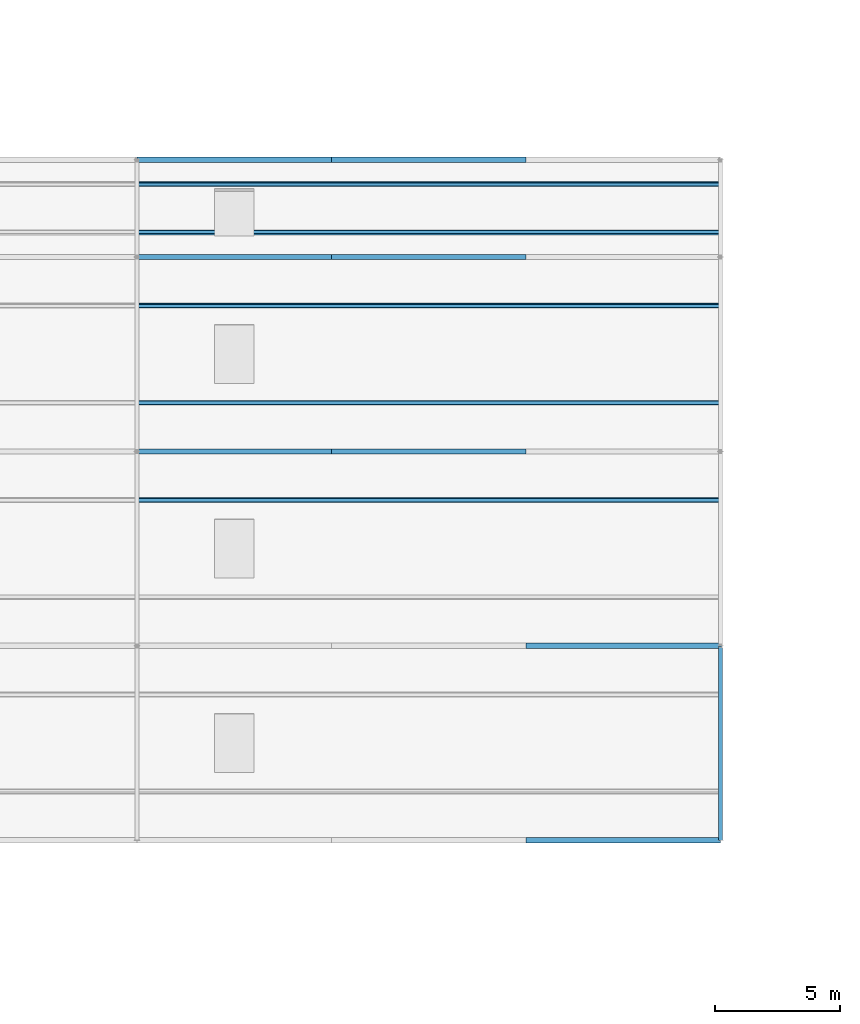
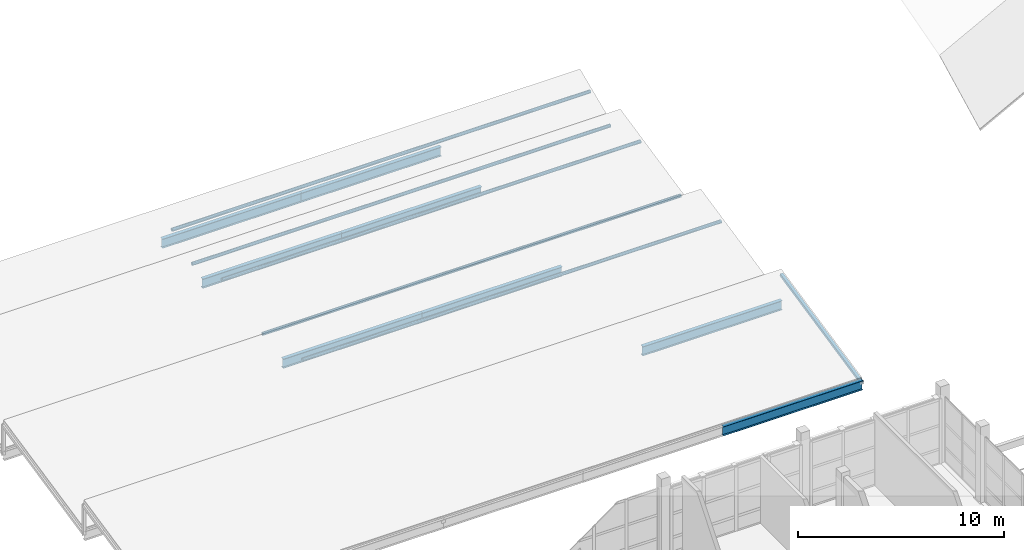
# One storey, part 19 of 89: 8 beams, 6 members.
"""IFC4 building model written with IfcOpenShell, lengths in metres."""

from ifc_helpers import new_model, si_unit, direction, frame, origin, origin_2d, place, context, subcontext, project, spatial, hollow_rectangle, hollow_circle, i_section, extrude, material, material_profile, profile_set, type_object, element, save


model = new_model("IFC4")

# Units and contexts
model_context = context("Model", 3, precision=1e-05, world=origin(), true_north=direction((0.0, 1.0)))
body_context = subcontext(model_context, "Body", "Model", "MODEL_VIEW")
ifc_project = project(units=[si_unit("LENGTHUNIT", "METRE"), si_unit("AREAUNIT", "SQUARE_METRE"), si_unit("VOLUMEUNIT", "CUBIC_METRE"), si_unit("PLANEANGLEUNIT", "RADIAN"), si_unit("MASSUNIT", "GRAM", prefix="KILO")], contexts=[model_context])

# Site, building, storey
site_placement = place(None, origin())
site = spatial("IfcSite", under=ifc_project, at=site_placement, CompositionType="ELEMENT")
building_placement = place(site_placement, origin())
building = spatial("IfcBuilding", under=site, at=building_placement, Name="Celorna Specialist Clinic", CompositionType="ELEMENT")
storey_placement = place(building_placement, frame((0.0, 0.0, 14.10009765625)))
storey = spatial("IfcBuildingStorey", under=building, at=storey_placement, Name="L03", CompositionType="ELEMENT", Elevation=14.10009765625)

# Beams
ifc_material = material(Name="Steel S355", Category="steel")
ifc_material_profile_1 = material_profile(ifc_material, i_section(OverallWidth=0.2099609375, OverallDepth=0.550048828125, WebThickness=0.010986328125, FlangeThickness=0.01708984375, at=origin_2d()), Name="IPE 550")
ifc_profile_set_1 = profile_set([ifc_material_profile_1], Name="Steel S355")
beam_type = type_object("IfcBeamType", Name="BM-07", PredefinedType="BEAM", material=ifc_profile_set_1)
for number, where, z_axis, x_axis, name in (
    (1, (31.199951171875, 35.10009765625, -0.300048828125), (1.0, 0.0, 0.0), (0.0, 1.0, 0.0), "Sawtooth valley girder #1"),
    (2, (31.199951171875, 42.89990234375, -0.300048828125), (1.0, 0.0, 0.0), (0.0, 1.0, 0.0), "Sawtooth valley girder #2"),
):
    element("IfcBeam", number, at=place(storey_placement, frame(where, z_axis=z_axis, x_axis=x_axis)), inside=storey, type_object=beam_type, Name=name, PredefinedType="BEAM", context=body_context, shape_type="SweptSolid", body=[
        extrude(i_section(OverallWidth=0.2099609375, OverallDepth=0.550048828125, WebThickness=0.010986328125, FlangeThickness=0.01708984375, at=origin_2d()), origin(), (0.0, 0.0, 1.0), 7.800048828125),
    ])
beam_1_placement = place(storey_placement, frame((15.60009765625, 50.699951171875, -0.300048828125), z_axis=(1.0, 0.0, 0.0), x_axis=(0.0, 1.0, 0.0)))
element("IfcBeam", 3, at=beam_1_placement, inside=storey, type_object=beam_type, Name="Sawtooth valley girder #3", PredefinedType="BEAM", context=body_context, shape_type="SweptSolid", body=[
    extrude(i_section(OverallWidth=0.2099609375, OverallDepth=0.550048828125, WebThickness=0.010986328125, FlangeThickness=0.01708984375, at=origin_2d()), origin(), (0.0, 0.0, 1.0), 7.7998046875),
])
beam_2_placement = place(storey_placement, frame((23.39990234375, 50.699951171875, -0.300048828125), z_axis=(1.0, 0.0, 0.0), x_axis=(0.0, 1.0, 0.0)))
element("IfcBeam", 4, at=beam_2_placement, inside=storey, type_object=beam_type, Name="Sawtooth valley girder #3", PredefinedType="BEAM", context=body_context, shape_type="SweptSolid", body=[
    extrude(i_section(OverallWidth=0.2099609375, OverallDepth=0.550048828125, WebThickness=0.010986328125, FlangeThickness=0.01708984375, at=origin_2d()), origin(), (0.0, 0.0, 1.0), 7.800048828125),
])
beam_3_placement = place(storey_placement, frame((15.60009765625, 62.39990234375, -0.300048828125), z_axis=(1.0, 0.0, 0.0), x_axis=(0.0, 1.0, 0.0)))
element("IfcBeam", 5, at=beam_3_placement, inside=storey, type_object=beam_type, Name="Sawtooth north eave girder", PredefinedType="BEAM", context=body_context, shape_type="SweptSolid", body=[
    extrude(i_section(OverallWidth=0.2099609375, OverallDepth=0.550048828125, WebThickness=0.010986328125, FlangeThickness=0.01708984375, at=origin_2d()), origin(), (0.0, 0.0, 1.0), 7.7998046875),
])
beam_4_placement = place(storey_placement, frame((23.39990234375, 62.39990234375, -0.300048828125), z_axis=(1.0, 0.0, 0.0), x_axis=(0.0, 1.0, 0.0)))
element("IfcBeam", 6, at=beam_4_placement, inside=storey, type_object=beam_type, Name="Sawtooth north eave girder", PredefinedType="BEAM", context=body_context, shape_type="SweptSolid", body=[
    extrude(i_section(OverallWidth=0.2099609375, OverallDepth=0.550048828125, WebThickness=0.010986328125, FlangeThickness=0.01708984375, at=origin_2d()), origin(), (0.0, 0.0, 1.0), 7.800048828125),
])
beam_5_placement = place(storey_placement, frame((15.60009765625, 58.5, -0.300048828125), z_axis=(1.0, 0.0, 0.0), x_axis=(0.0, 1.0, 0.0)))
element("IfcBeam", 7, at=beam_5_placement, inside=storey, type_object=beam_type, Name="Sawtooth valley girder #4", PredefinedType="BEAM", context=body_context, shape_type="SweptSolid", body=[
    extrude(i_section(OverallWidth=0.2099609375, OverallDepth=0.550048828125, WebThickness=0.010986328125, FlangeThickness=0.01708984375, at=origin_2d()), origin(), (0.0, 0.0, 1.0), 7.7998046875),
])
beam_6_placement = place(storey_placement, frame((23.39990234375, 58.5, -0.300048828125), z_axis=(1.0, 0.0, 0.0), x_axis=(0.0, 1.0, 0.0)))
element("IfcBeam", 8, at=beam_6_placement, inside=storey, type_object=beam_type, Name="Sawtooth valley girder #4", PredefinedType="BEAM", context=body_context, shape_type="SweptSolid", body=[
    extrude(i_section(OverallWidth=0.2099609375, OverallDepth=0.550048828125, WebThickness=0.010986328125, FlangeThickness=0.01708984375, at=origin_2d()), origin(), (0.0, 0.0, 1.0), 7.800048828125),
])

# Members
ifc_material_profile_2 = material_profile(ifc_material, hollow_circle(Radius=0.096923828125, WallThickness=0.010009765625, at=origin_2d()), Name="CHS 193.7x10")
ifc_profile_set_2 = profile_set([ifc_material_profile_2], Name="Steel S355")
member_type_1 = type_object("IfcMemberType", Name="MB-04", PredefinedType="PURLIN", material=ifc_profile_set_2)
for number, where, z_axis, x_axis, name in (
    (9, (15.60009765625, 48.75, 1.060302734375), (1.0, 0.0, 0.0), (0.0, 1.0, 0.0), "Roof purlin WP-279-WP-280"),
    (10, (15.60009765625, 52.64990234375, 0.225341796875), (1.0, 0.0, 0.0), (0.0, 1.0, 0.0), "Roof purlin WP-288-WP-289"),
    (11, (15.60009765625, 56.550048828125, 1.060302734375), (1.0, 0.0, 0.0), (0.0, 1.0, 0.0), "Roof purlin WP-291-WP-292"),
    (12, (15.60009765625, 59.47509765625, 0.225341796875), (1.0, 0.0, 0.0), (0.0, 1.0, 0.0), "Roof purlin WP-300-WP-301"),
    (13, (15.60009765625, 61.425048828125, 1.060302734375), (1.0, 0.0, 0.0), (0.0, 1.0, 0.0), "Roof purlin WP-303-WP-304"),
):
    element("IfcMember", number, at=place(storey_placement, frame(where, z_axis=z_axis, x_axis=x_axis)), inside=storey, type_object=member_type_1, Name=name, PredefinedType="PURLIN", context=body_context, shape_type="SweptSolid", body=[
        extrude(hollow_circle(Radius=0.096923828125, WallThickness=0.010009765625, at=origin_2d()), origin(), (0.0, 0.0, 1.0), 23.39990234375),
    ])
ifc_material_profile_3 = material_profile(ifc_material, hollow_rectangle(XDim=0.159912109375, YDim=0.159912109375, WallThickness=0.010009765625, at=origin_2d()), Name="SHS 160x160x10")
ifc_profile_set_3 = profile_set([ifc_material_profile_3], Name="Steel S355")
member_type_2 = type_object("IfcMemberType", Name="MB-09", PredefinedType="CHORD", material=ifc_profile_set_3)
member_placement = place(storey_placement, frame((39.0, 35.10009765625, -0.2021484375), z_axis=(0.0, 0.977833756685, 0.209382769797), x_axis=(-1.0, 0.0, 0.0)))
element("IfcMember", 14, at=member_placement, inside=storey, type_object=member_type_2, Name="Pitched roof rafter chord WP-261-WP-262", PredefinedType="CHORD", context=body_context, shape_type="SweptSolid", body=[
    extrude(hollow_rectangle(XDim=0.159912109375, YDim=0.159912109375, WallThickness=0.010009765625, at=origin_2d()), origin(), (0.0, 0.0, 1.0), 7.9765625),
])

save(model, "model.ifc")
